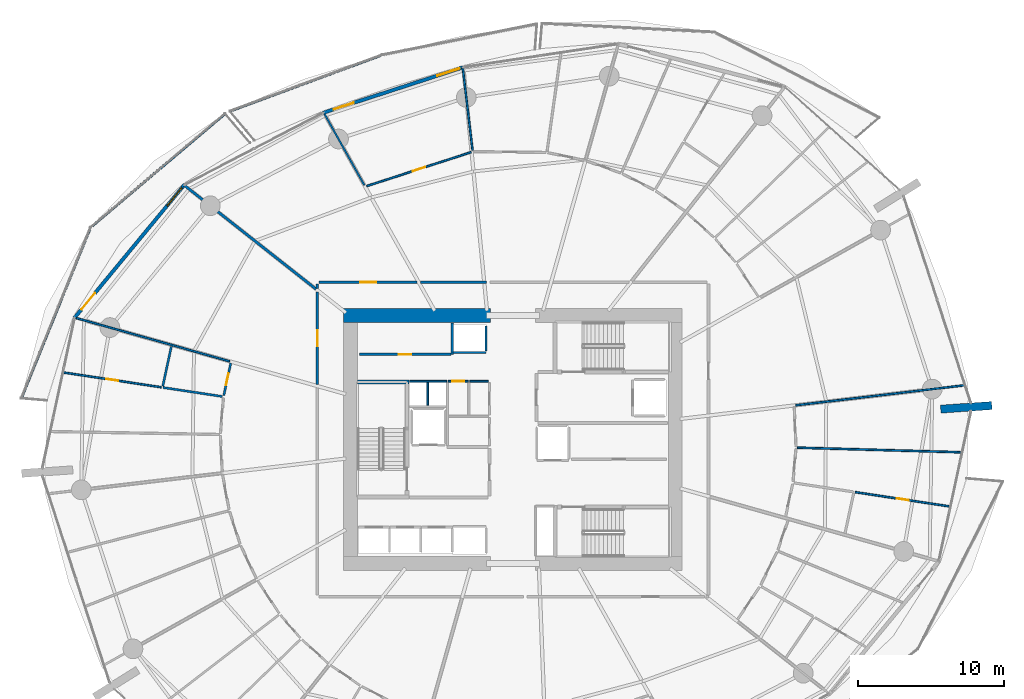
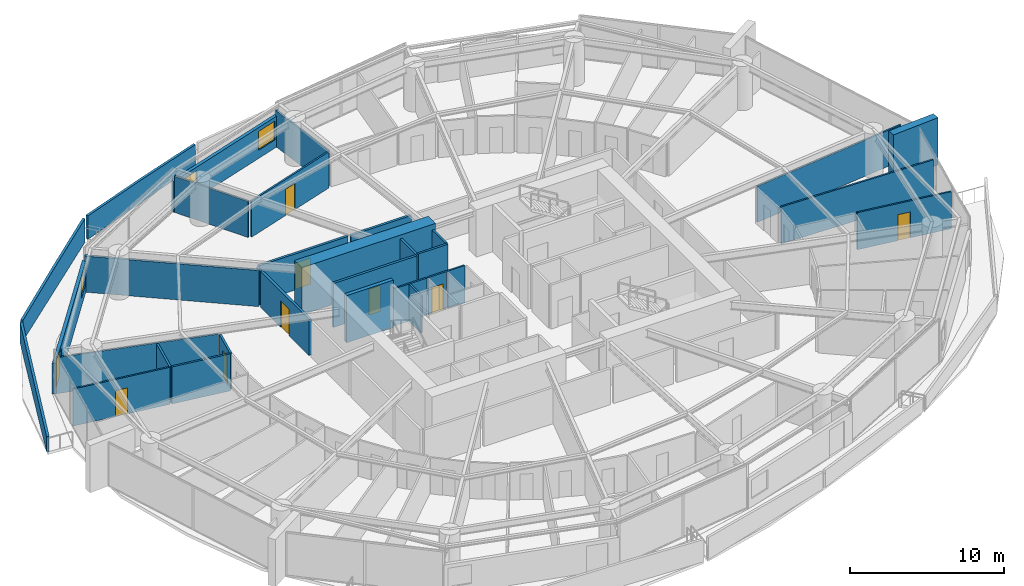
# One storey, part 22 of 31: 32 walls, 10 doors, 2 windows, 12 openings.
"""IFC4 building model written with IfcOpenShell, lengths in metres."""

from ifc_helpers import new_model, si_unit, direction, frame, frame_2d, origin, place, context, subcontext, project, spatial, polyline, rectangle, outline, extrude, material, layer, layer_set, type_object, element, fill, save


model = new_model("IFC4")

# Units and contexts
model_context = context("Model", 3, precision=1e-05, world=origin(), true_north=direction((0.0, 1.0)))
body_context = subcontext(model_context, "Body", "Model", "MODEL_VIEW")
ifc_project = project(units=[si_unit("LENGTHUNIT", "METRE"), si_unit("AREAUNIT", "SQUARE_METRE"), si_unit("VOLUMEUNIT", "CUBIC_METRE"), si_unit("PLANEANGLEUNIT", "RADIAN"), si_unit("MASSUNIT", "GRAM", prefix="KILO")], contexts=[model_context])

# Site, building, storey
site_placement = place(None, origin())
site = spatial("IfcSite", under=ifc_project, at=site_placement, CompositionType="ELEMENT")
building_placement = place(site_placement, origin())
building = spatial("IfcBuilding", under=site, at=building_placement, Name="Kazma Halo Residences", CompositionType="ELEMENT")
storey_placement = place(building_placement, frame((0.0, 0.0, 52.64990234375)))
storey = spatial("IfcBuildingStorey", under=building, at=storey_placement, Name="L12", CompositionType="ELEMENT", Elevation=52.64990234375)

# Walls
ifc_material_1 = material(Name="White Concrete C50/60 Balustrade", Category="concrete")
ifc_layer_1 = layer(ifc_material_1, 0.179931640625)
ifc_layer_set_1 = layer_set([ifc_layer_1], Name="White Concrete C50/60 Balustrade")
wall_type_1 = type_object("IfcWallType", Name="WL-BAL-WAVE-180", PredefinedType="PARAPET", material=ifc_layer_set_1)
wall_1_placement = place(storey_placement, frame((39.343505859375, 68.254150390625, 0.0), z_axis=(0.0, 0.0, 1.0), x_axis=(-0.938003942123, -0.346624587358, 0.0)))
element("IfcWall", 1, at=wall_1_placement, inside=storey, type_object=wall_type_1, Name="L12 white wave balustrade wall NNW.2", PredefinedType="PARAPET", context=body_context, shape_type="SweptSolid", body=[
    extrude(outline(polyline([(0.0, 0.0), (10.96435546875, 0.0), (10.96435546875, 1.860107421875), (5.482177734375, 1.798095703125), (0.0, 1.632080078125), (0.0, 0.0)])), frame((0.0, 0.08984375, 0.0), z_axis=(0.0, -1.0, 0.0), x_axis=(1.0, 0.0, 0.0)), (0.0, 0.0, 1.0), 0.179931640625),
])
wall_2_placement = place(storey_placement, frame((28.733154296875, 64.281494140625, 0.0), z_axis=(0.0, 0.0, 1.0), x_axis=(-0.763702211542, -0.645568688898, 0.0)))
element("IfcWall", 2, at=wall_2_placement, inside=storey, type_object=wall_type_1, Name="L12 white wave balustrade wall NW.1", PredefinedType="PARAPET", context=body_context, shape_type="SweptSolid", body=[
    extrude(outline(polyline([(0.0, 0.0), (11.9267578125, 0.0), (11.9267578125, 1.632080078125), (5.96337890625, 1.798095703125), (0.0, 1.860107421875), (0.0, 0.0)])), frame((0.0, 0.08984375, 0.0), z_axis=(0.0, -1.0, 0.0), x_axis=(1.0, 0.0, 0.0)), (0.0, 0.0, 1.0), 0.179931640625),
])
wall_3_placement = place(storey_placement, frame((19.488037109375, 56.393310546875, 0.0), z_axis=(0.0, 0.0, 1.0), x_axis=(-0.375733690411, -0.926727680546, 0.0)))
element("IfcWall", 3, at=wall_3_placement, inside=storey, type_object=wall_type_1, Name="L12 white wave balustrade wall NW.2", PredefinedType="PARAPET", context=body_context, shape_type="SweptSolid", body=[
    extrude(outline(polyline([(0.0, 0.0), (12.4912109375, 0.0), (12.4912109375, 1.233154296875), (6.24560546875, 1.418212890625), (0.0, 1.632080078125), (0.0, 0.0)])), frame((0.0, 0.08984375, 0.0), z_axis=(0.0, -1.0, 0.0), x_axis=(1.0, 0.0, 0.0)), (0.0, 0.0, 1.0), 0.179931640625),
])
ifc_material_2 = material(Name="Pale Concrete C60/75", Category="concrete")
ifc_layer_2 = layer(ifc_material_2, 0.550048828125)
ifc_layer_set_2 = layer_set([ifc_layer_2], Name="Pale Concrete C60/75")
wall_type_2 = type_object("IfcWallType", Name="WL-BLADE-550", PredefinedType="SOLIDWALL", material=ifc_layer_set_2)
wall_4_placement = place(storey_placement, frame((77.677978515625, 44.0751953125, 0.0), z_axis=(0.0, 0.0, 1.0), x_axis=(0.997564163539, 0.069754853754, 0.0)))
element("IfcWall", 4, at=wall_4_placement, inside=storey, type_object=wall_type_2, Name="L12 pale concrete structural blade fin wall BW-04", PredefinedType="SOLIDWALL", context=body_context, shape_type="SweptSolid", body=[
    extrude(rectangle(XDim=3.5, YDim=0.550048828125, at=frame_2d((1.75, 0.0))), origin(), (0.0, 0.0, 1.0), 3.75),
])
ifc_material_3 = material(Name="Concrete C80/95", Category="concrete")
ifc_layer_3 = layer(ifc_material_3, 0.949951171875)
ifc_layer_set_3 = layer_set([ifc_layer_3], Name="Concrete C80/95")
wall_type_3 = type_object("IfcWallType", Name="WL-CORE-950", PredefinedType="SHEAR", material=ifc_layer_set_3)
wall_5_placement = place(storey_placement, frame((36.85009765625, 50.47509765625, 0.0), z_axis=(0.0, 0.0, 1.0), x_axis=(1.0, 0.0, 0.0)))
element("IfcWall", 5, at=wall_5_placement, inside=storey, type_object=wall_type_3, Name="L12 central core shear wall NW", PredefinedType="SHEAR", context=body_context, shape_type="SweptSolid", body=[
    extrude(rectangle(XDim=10.0498046875, YDim=0.949951171875, at=frame_2d((5.02490234375, 0.0))), origin(), (0.0, 0.0, 1.0), 3.75),
])
ifc_material_4 = material(Name="Concrete C60/75", Category="concrete")
ifc_layer_4 = layer(ifc_material_4, 0.280029296875)
ifc_layer_set_4 = layer_set([ifc_layer_4], Name="Concrete C60/75")
wall_type_4 = type_object("IfcWallType", Name="WL-CORE-ST-280", PredefinedType="SHEAR", material=ifc_layer_set_4)
wall_6_placement = place(storey_placement, frame((37.800048828125, 45.93994140625, 0.0), z_axis=(0.0, 0.0, 1.0), x_axis=(1.0, 0.0, 0.0)))
element("IfcWall", 6, at=wall_6_placement, inside=storey, type_object=wall_type_4, Name="L12 stairwell bearing wall ST01-N", PredefinedType="SHEAR", context=body_context, shape_type="SweptSolid", body=[
    extrude(rectangle(XDim=3.5, YDim=0.280029296875, at=frame_2d((1.75, 0.0))), origin(), (0.0, 0.0, 1.0), 3.75),
])
ifc_material_5 = material(Name="Acoustic Twin-Stud Gypsum")
ifc_layer_5 = layer(ifc_material_5, 0.179931640625)
ifc_layer_set_5 = layer_set([ifc_layer_5], Name="Acoustic Twin-Stud Gypsum")
wall_type_5 = type_object("IfcWallType", Name="WL-DEM-180", PredefinedType="PARTITIONING", material=ifc_layer_set_5)
wall_7_placement = place(storey_placement, frame((34.963623046875, 52.277099609375, 0.0), z_axis=(0.0, 0.0, 1.0), x_axis=(-0.785321098315, 0.619088662908, 0.0)))
element("IfcWall", 7, at=wall_7_placement, inside=storey, type_object=wall_type_5, Name="L12 apartment demising radial wall 05", PredefinedType="PARTITIONING", context=body_context, shape_type="SweptSolid", body=[
    extrude(rectangle(XDim=11.4716796875, YDim=0.179931640625, at=frame_2d((5.73583984375, 0.0))), origin(), (0.0, 0.0, 1.0), 2.8671875),
])

# Wall, opening, door
wall_8_placement = place(storey_placement, frame((41.859619140625, 52.75, 0.0), z_axis=(0.0, 0.0, 1.0), x_axis=(-1.0, 0.0, 0.0)))
wall_8 = element("IfcWall", 8, at=wall_8_placement, inside=storey, type_object=wall_type_5, Name="L12 Apartment 1 entrance corridor wall", PredefinedType="PARTITIONING", context=body_context, shape_type="SweptSolid", body=[
    extrude(rectangle(XDim=6.689697265625, YDim=0.179931640625, at=frame_2d((3.3447265625, 0.0))), origin(), (0.0, 0.0, 1.0), 2.8671875),
])
opening_1_placement = place(wall_8_placement, frame((2.794921875, 0.0, 0.0)))
opening_1 = element("IfcOpeningElement", 9, at=opening_1_placement, cuts=wall_8, Name="Opening DA-1100", PredefinedType="OPENING", context=body_context, shape_type="SweptSolid", body=[
    extrude(rectangle(XDim=1.10009765625, YDim=2.10009765625, at=frame_2d((0.550048828125, 1.050048828125))), frame((0.0, 0.099853515625, 0.0), z_axis=(0.0, -1.0, 0.0), x_axis=(1.0, 0.0, 0.0)), (0.0, 0.0, 1.0), 0.199951171875),
])
ifc_material_6 = material(Name="Acoustic Walnut Fire Leaf")
door_type_1 = type_object("IfcDoorType", Name="DR-FD60-1100", OperationType="NOTDEFINED", PredefinedType="DOOR", material=ifc_material_6)
door_1_placement = place(opening_1_placement, origin())
door_1 = element("IfcDoor", 10, at=door_1_placement, inside=storey, type_object=door_type_1, Name="L12 Apartment 1 entrance fire door", OperationType="SINGLE_SWING_RIGHT", OverallHeight=2.10009765625, OverallWidth=1.10009765625, PredefinedType="DOOR", context=body_context, shape_type="SweptSolid", body=[
    extrude(rectangle(XDim=1.10009765625, YDim=2.10009765625, at=frame_2d((0.550048828125, 1.050048828125))), frame((0.0, 0.02490234375, 0.0), z_axis=(0.0, -1.0, 0.0), x_axis=(1.0, 0.0, 0.0)), (0.0, 0.0, 1.0), 0.050048828125),
])
fill(opening_1, door_1)

# Walls
wall_9_placement = place(storey_placement, frame((35.050048828125, 52.6298828125, 0.0), z_axis=(0.0, 0.0, 1.0), x_axis=(0.0, -1.0, 0.0)))
element("IfcWall", 11, at=wall_9_placement, inside=storey, type_object=wall_type_5, Name="L12 Apartment 1 entrance corridor wall", PredefinedType="PARTITIONING", context=body_context, shape_type="SweptSolid", body=[
    extrude(rectangle(XDim=0.30078125, YDim=0.179931640625, at=frame_2d((0.150390625, 0.0))), origin(), (0.0, 0.0, 1.0), 2.8671875),
])
wall_10_placement = place(storey_placement, frame((46.607666015625, 52.75, 0.0), z_axis=(0.0, 0.0, 1.0), x_axis=(-1.0, 0.0, 0.0)))
element("IfcWall", 12, at=wall_10_placement, inside=storey, type_object=wall_type_5, Name="L12 Apartment 1 inner wall 3", PredefinedType="PARTITIONING", context=body_context, shape_type="SweptSolid", body=[
    extrude(rectangle(XDim=4.508056640625, YDim=0.179931640625, at=frame_2d((2.25390625, 0.0))), origin(), (0.0, 0.0, 1.0), 2.8671875),
])

# Wall, opening, door
wall_11_placement = place(storey_placement, frame((35.050048828125, 52.089111328125, 0.0), z_axis=(0.0, 0.0, 1.0), x_axis=(0.0, -1.0, 0.0)))
wall_11 = element("IfcWall", 13, at=wall_11_placement, inside=storey, type_object=wall_type_5, Name="L12 Apartment 2 entrance corridor wall", PredefinedType="PARTITIONING", context=body_context, shape_type="SweptSolid", body=[
    extrude(rectangle(XDim=6.31689453125, YDim=0.179931640625, at=frame_2d((3.158447265625, 0.0))), origin(), (0.0, 0.0, 1.0), 2.8671875),
])
opening_2_placement = place(wall_11_placement, frame((2.6083984375, 0.0, 0.0)))
opening_2 = element("IfcOpeningElement", 14, at=opening_2_placement, cuts=wall_11, Name="Opening DA-1100", PredefinedType="OPENING", context=body_context, shape_type="SweptSolid", body=[
    extrude(rectangle(XDim=1.10009765625, YDim=2.10009765625, at=frame_2d((0.550048828125, 1.050048828125))), frame((0.0, 0.099853515625, 0.0), z_axis=(0.0, -1.0, 0.0), x_axis=(1.0, 0.0, 0.0)), (0.0, 0.0, 1.0), 0.199951171875),
])
door_2_placement = place(opening_2_placement, origin())
door_2 = element("IfcDoor", 15, at=door_2_placement, inside=storey, type_object=door_type_1, Name="L12 Apartment 2 entrance fire door", OperationType="SINGLE_SWING_LEFT", OverallHeight=2.10009765625, OverallWidth=1.10009765625, PredefinedType="DOOR", context=body_context, shape_type="SweptSolid", body=[
    extrude(rectangle(XDim=1.10009765625, YDim=2.10009765625, at=frame_2d((0.550048828125, 1.050048828125))), frame((0.0, 0.02490234375, 0.0), z_axis=(0.0, -1.0, 0.0), x_axis=(1.0, 0.0, 0.0)), (0.0, 0.0, 1.0), 0.050048828125),
])
fill(opening_2, door_2)

# Wall, openings, door, window
ifc_material_7 = material(Name="Insulated Pale-Metal Composite Wall")
ifc_layer_6 = layer(ifc_material_7, 0.239990234375)
ifc_layer_set_6 = layer_set([ifc_layer_6], Name="Insulated Pale-Metal Composite Wall")
wall_type_6 = type_object("IfcWallType", Name="WL-EXT-HOST-240", PredefinedType="SOLIDWALL", material=ifc_layer_set_6)
wall_12_placement = place(storey_placement, frame((45.0361328125, 67.45849609375, 0.0), z_axis=(0.0, 0.0, 1.0), x_axis=(-0.951054679225, -0.309022648238, 0.0)))
wall_12 = element("IfcWall", 16, at=wall_12_placement, inside=storey, type_object=wall_type_6, Name="L12 exterior terrace-access wall B04", PredefinedType="SOLIDWALL", context=body_context, shape_type="SweptSolid", body=[
    extrude(rectangle(XDim=10.0966796875, YDim=0.239990234375, at=frame_2d((5.04833984375, 0.0))), origin(), (0.0, 0.0, 1.0), 2.4501953125),
])
opening_3_placement = place(wall_12_placement, frame((7.876708984375, 0.0, 0.0)))
opening_3 = element("IfcOpeningElement", 17, at=opening_3_placement, cuts=wall_12, Name="Opening DTR-1600", PredefinedType="OPENING", context=body_context, shape_type="SweptSolid", body=[
    extrude(rectangle(XDim=1.449951171875, YDim=2.14990234375, at=frame_2d((0.72509765625, 1.074951171875))), frame((0.0, 0.1298828125, 0.0), z_axis=(0.0, -1.0, 0.0), x_axis=(1.0, 0.0, 0.0)), (0.0, 0.0, 1.0), 0.260009765625),
])
opening_4_placement = place(wall_12_placement, frame((0.280029296875, 0.0, 0.64990234375)))
opening_4 = element("IfcOpeningElement", 18, at=opening_4_placement, cuts=wall_12, Name="Opening W-1800", PredefinedType="OPENING", context=body_context, shape_type="SweptSolid", body=[
    extrude(rectangle(XDim=1.60009765625, YDim=1.5, at=frame_2d((0.800048828125, 0.75))), frame((0.0, 0.1298828125, 0.0), z_axis=(0.0, -1.0, 0.0), x_axis=(1.0, 0.0, 0.0)), (0.0, 0.0, 1.0), 0.260009765625),
])
ifc_material_8 = material(Name="Aluminium AW-6063 T6 Double-Glazed Terrace Door", Category="aluminium")
door_type_2 = type_object("IfcDoorType", Name="DR-EXT-TERR-1600", OperationType="NOTDEFINED", PredefinedType="DOOR", material=ifc_material_8)
door_3_placement = place(opening_3_placement, origin())
door_3 = element("IfcDoor", 19, at=door_3_placement, inside=storey, type_object=door_type_2, Name="L12 B04 balcony terrace door", OperationType="DOUBLE_DOOR_SLIDING", OverallHeight=2.14990234375, OverallWidth=1.449951171875, PredefinedType="DOOR", context=body_context, shape_type="SweptSolid", body=[
    extrude(rectangle(XDim=1.449951171875, YDim=2.14990234375, at=frame_2d((0.72509765625, 1.074951171875))), frame((0.0, 0.02490234375, 0.0), z_axis=(0.0, -1.0, 0.0), x_axis=(1.0, 0.0, 0.0)), (0.0, 0.0, 1.0), 0.050048828125),
])
fill(opening_3, door_3)
ifc_material_9 = material(Name="Clear Triple-Silver Low-E Glass in Aluminium AW-6063 T6 Frame", Category="aluminium")
window_type = type_object("IfcWindowType", Name="WIN-RES-1800", PartitioningType="DOUBLE_PANEL_VERTICAL", PredefinedType="WINDOW", material=ifc_material_9)
window_1_placement = place(opening_4_placement, origin())
window_1 = element("IfcWindow", 20, at=window_1_placement, inside=storey, type_object=window_type, Name="L12 B04 apartment window", OverallHeight=1.5, OverallWidth=1.60009765625, PartitioningType="SINGLE_PANEL", PredefinedType="WINDOW", context=body_context, shape_type="SweptSolid", body=[
    extrude(rectangle(XDim=1.60009765625, YDim=1.5, at=frame_2d((0.800048828125, 0.75))), frame((0.0, 0.030029296875, 0.0), z_axis=(0.0, -1.0, 0.0), x_axis=(1.0, 0.0, 0.0)), (0.0, 0.0, 1.0), 0.06005859375),
])
fill(opening_4, window_1)

wall_13_placement = place(storey_placement, frame((25.966796875, 59.433349609375, 0.0), z_axis=(0.0, 0.0, 1.0), x_axis=(-0.636674332663, -0.771132799281, 0.0)))
wall_13 = element("IfcWall", 21, at=wall_13_placement, inside=storey, type_object=wall_type_6, Name="L12 exterior terrace-access wall B06", PredefinedType="SOLIDWALL", context=body_context, shape_type="SweptSolid", body=[
    extrude(rectangle(XDim=11.851318359375, YDim=0.239990234375, at=frame_2d((5.92578125, 0.0))), origin(), (0.0, 0.0, 1.0), 2.4501953125),
])
opening_5_placement = place(wall_13_placement, frame((9.631103515625, 0.0, 0.0)))
opening_5 = element("IfcOpeningElement", 22, at=opening_5_placement, cuts=wall_13, Name="Opening DTR-1600", PredefinedType="OPENING", context=body_context, shape_type="SweptSolid", body=[
    extrude(rectangle(XDim=1.449951171875, YDim=2.14990234375, at=frame_2d((0.72509765625, 1.074951171875))), frame((0.0, 0.1298828125, 0.0), z_axis=(0.0, -1.0, 0.0), x_axis=(1.0, 0.0, 0.0)), (0.0, 0.0, 1.0), 0.260009765625),
])
opening_6_placement = place(wall_13_placement, frame((0.280029296875, 0.0, 0.64990234375)))
opening_6 = element("IfcOpeningElement", 23, at=opening_6_placement, cuts=wall_13, Name="Opening W-1800", PredefinedType="OPENING", context=body_context, shape_type="SweptSolid", body=[
    extrude(rectangle(XDim=1.60009765625, YDim=1.5, at=frame_2d((0.800048828125, 0.75))), frame((0.0, 0.1298828125, 0.0), z_axis=(0.0, -1.0, 0.0), x_axis=(1.0, 0.0, 0.0)), (0.0, 0.0, 1.0), 0.260009765625),
])
door_4_placement = place(opening_5_placement, origin())
door_4 = element("IfcDoor", 24, at=door_4_placement, inside=storey, type_object=door_type_2, Name="L12 B06 balcony terrace door", OperationType="DOUBLE_DOOR_SLIDING", OverallHeight=2.14990234375, OverallWidth=1.449951171875, PredefinedType="DOOR", context=body_context, shape_type="SweptSolid", body=[
    extrude(rectangle(XDim=1.449951171875, YDim=2.14990234375, at=frame_2d((0.72509765625, 1.074951171875))), frame((0.0, 0.02490234375, 0.0), z_axis=(0.0, -1.0, 0.0), x_axis=(1.0, 0.0, 0.0)), (0.0, 0.0, 1.0), 0.050048828125),
])
fill(opening_5, door_4)
window_2_placement = place(opening_6_placement, origin())
window_2 = element("IfcWindow", 25, at=window_2_placement, inside=storey, type_object=window_type, Name="L12 B06 apartment window", OverallHeight=1.5, OverallWidth=1.60009765625, PartitioningType="SINGLE_PANEL", PredefinedType="WINDOW", context=body_context, shape_type="SweptSolid", body=[
    extrude(rectangle(XDim=1.60009765625, YDim=1.5, at=frame_2d((0.800048828125, 0.75))), frame((0.0, 0.030029296875, 0.0), z_axis=(0.0, -1.0, 0.0), x_axis=(1.0, 0.0, 0.0)), (0.0, 0.0, 1.0), 0.06005859375),
])
fill(opening_6, window_2)

# Walls
ifc_material_10 = material(Name="Fire-Rated Blockwork Masonry", Category="masonry")
ifc_layer_7 = layer(ifc_material_10, 0.199951171875)
ifc_layer_set_7 = layer_set([ifc_layer_7], Name="Fire-Rated Blockwork Masonry")
wall_type_7 = type_object("IfcWallType", Name="WL-FLB-200", PredefinedType="PARTITIONING", material=ifc_layer_set_7)
wall_14_placement = place(storey_placement, frame((46.580078125, 47.945068359375, 0.0), z_axis=(0.0, 0.0, 1.0), x_axis=(-1.0, 0.0, 0.0)))
element("IfcWall", 26, at=wall_14_placement, inside=storey, type_object=wall_type_7, Name="L12 lift shaft PX-01 front wall", PredefinedType="PARTITIONING", context=body_context, shape_type="SweptSolid", body=[
    extrude(rectangle(XDim=2.260009765625, YDim=0.159912109375, at=frame_2d((1.1298828125, 0.0))), origin(), (0.0, 0.0, 1.0), 3.5),
])
wall_15_placement = place(storey_placement, frame((46.580078125, 48.044921875, 0.0), z_axis=(0.0, 0.0, 1.0), x_axis=(0.0, 1.0, 0.0)))
element("IfcWall", 27, at=wall_15_placement, inside=storey, type_object=wall_type_7, Name="L12 lift shaft PX-01 side wall E", PredefinedType="PARTITIONING", context=body_context, shape_type="SweptSolid", body=[
    extrude(rectangle(XDim=1.7099609375, YDim=0.159912109375, at=frame_2d((0.85498046875, 0.0))), origin(), (0.0, 0.0, 1.0), 3.5),
])

# Wall, opening, door
wall_16_placement = place(storey_placement, frame((37.919921875, 47.820068359375, 0.0), z_axis=(0.0, 0.0, 1.0), x_axis=(1.0, 0.0, 0.0)))
wall_16 = element("IfcWall", 28, at=wall_16_placement, inside=storey, type_object=wall_type_7, Name="L12 core north reserve wall", PredefinedType="PARTITIONING", context=body_context, shape_type="SweptSolid", body=[
    extrude(rectangle(XDim=6.260009765625, YDim=0.179931640625, at=frame_2d((3.1298828125, 0.0))), origin(), (0.0, 0.0, 1.0), 3.5),
])
opening_7_placement = place(wall_16_placement, frame((2.705078125, 0.0, 0.0)))
opening_7 = element("IfcOpeningElement", 29, at=opening_7_placement, cuts=wall_16, Name="Opening DS-850", PredefinedType="OPENING", context=body_context, shape_type="SweptSolid", body=[
    extrude(rectangle(XDim=0.85009765625, YDim=2.06005859375, at=frame_2d((0.425048828125, 1.030029296875))), frame((0.0, 0.099853515625, 0.0), z_axis=(0.0, -1.0, 0.0), x_axis=(1.0, 0.0, 0.0)), (0.0, 0.0, 1.0), 0.199951171875),
])
ifc_material_11 = material(Name="Painted Steel Access Leaf", Category="steel")
door_type_3 = type_object("IfcDoorType", Name="DR-SVC-850", OperationType="NOTDEFINED", PredefinedType="DOOR", material=ifc_material_11)
door_5_placement = place(opening_7_placement, origin())
door_5 = element("IfcDoor", 30, at=door_5_placement, inside=storey, type_object=door_type_3, Name="L12 core north reserve door", OperationType="SINGLE_SWING_RIGHT", OverallHeight=2.06005859375, OverallWidth=0.85009765625, PredefinedType="DOOR", context=body_context, shape_type="SweptSolid", body=[
    extrude(rectangle(XDim=0.85009765625, YDim=2.06005859375, at=frame_2d((0.425048828125, 1.030029296875))), frame((0.0, 0.02490234375, 0.0), z_axis=(0.0, -1.0, 0.0), x_axis=(1.0, 0.0, 0.0)), (0.0, 0.0, 1.0), 0.050048828125),
])
fill(opening_7, door_5)

# Walls
wall_17_placement = place(storey_placement, frame((44.280029296875, 47.820068359375, 0.0), z_axis=(0.0, 0.0, 1.0), x_axis=(0.0, 1.0, 0.0)))
element("IfcWall", 31, at=wall_17_placement, inside=storey, type_object=wall_type_7, Name="L12 PX-01 hoistway west wall", PredefinedType="PARTITIONING", context=body_context, shape_type="SweptSolid", body=[
    extrude(rectangle(XDim=2.1298828125, YDim=0.179931640625, at=frame_2d((1.06494140625, 0.0))), origin(), (0.0, 0.0, 1.0), 3.5),
])
ifc_material_12 = material(Name="Gypsum Plasterboard Partition")
ifc_layer_8 = layer(ifc_material_12, 0.125)
ifc_layer_set_8 = layer_set([ifc_layer_8], Name="Gypsum Plasterboard Partition")
wall_type_8 = type_object("IfcWallType", Name="WL-PART-125", PredefinedType="PARTITIONING", material=ifc_layer_set_8)
wall_18_placement = place(storey_placement, frame((42.60009765625, 44.35009765625, 0.0), z_axis=(0.0, 0.0, 1.0), x_axis=(0.0, 1.0, 0.0)))
element("IfcWall", 32, at=wall_18_placement, inside=storey, type_object=wall_type_8, Name="L12 core riser divider wall", PredefinedType="PARTITIONING", context=body_context, shape_type="SweptSolid", body=[
    extrude(rectangle(XDim=1.5498046875, YDim=0.125, at=frame_2d((0.77490234375, 0.0))), origin(), (0.0, 0.0, 1.0), 2.940185546875),
])
wall_19_placement = place(storey_placement, frame((41.35009765625, 45.97998046875, 0.0), z_axis=(0.0, 0.0, 1.0), x_axis=(1.0, 0.0, 0.0)))
element("IfcWall", 33, at=wall_19_placement, inside=storey, type_object=wall_type_8, Name="L12 core riser NW wall", PredefinedType="PARTITIONING", context=body_context, shape_type="SweptSolid", body=[
    extrude(rectangle(XDim=2.52978515625, YDim=0.125, at=frame_2d((1.264892578125, 0.0))), origin(), (0.0, 0.0, 1.0), 2.940185546875),
])

# Wall, opening, door
wall_20_placement = place(storey_placement, frame((43.989990234375, 45.97998046875, 0.0), z_axis=(0.0, 0.0, 1.0), x_axis=(1.0, 0.0, 0.0)))
wall_20 = element("IfcWall", 34, at=wall_20_placement, inside=storey, type_object=wall_type_8, Name="L12 cleaners cupboard north wall", PredefinedType="PARTITIONING", context=body_context, shape_type="SweptSolid", body=[
    extrude(rectangle(XDim=1.380126953125, YDim=0.125, at=frame_2d((0.68994140625, 0.0))), origin(), (0.0, 0.0, 1.0), 2.940185546875),
])
opening_8_placement = place(wall_20_placement, frame((0.264892578125, 0.0, 0.0)))
opening_8 = element("IfcOpeningElement", 35, at=opening_8_placement, cuts=wall_20, Name="Opening DS-850", PredefinedType="OPENING", context=body_context, shape_type="SweptSolid", body=[
    extrude(rectangle(XDim=0.85009765625, YDim=2.06005859375, at=frame_2d((0.425048828125, 1.030029296875))), frame((0.0, 0.072509765625, 0.0), z_axis=(0.0, -1.0, 0.0), x_axis=(1.0, 0.0, 0.0)), (0.0, 0.0, 1.0), 0.14501953125),
])
door_6_placement = place(opening_8_placement, origin())
door_6 = element("IfcDoor", 36, at=door_6_placement, inside=storey, type_object=door_type_3, Name="L12 cleaners cupboard door", OperationType="SINGLE_SWING_LEFT", OverallHeight=2.06005859375, OverallWidth=0.85009765625, PredefinedType="DOOR", context=body_context, shape_type="SweptSolid", body=[
    extrude(rectangle(XDim=0.85009765625, YDim=2.06005859375, at=frame_2d((0.425048828125, 1.030029296875))), frame((0.0, 0.02490234375, 0.0), z_axis=(0.0, -1.0, 0.0), x_axis=(1.0, 0.0, 0.0)), (0.0, 0.0, 1.0), 0.050048828125),
])
fill(opening_8, door_6)

# Walls
wall_21_placement = place(storey_placement, frame((45.47998046875, 45.97998046875, 0.0), z_axis=(0.0, 0.0, 1.0), x_axis=(1.0, 0.0, 0.0)))
element("IfcWall", 37, at=wall_21_placement, inside=storey, type_object=wall_type_8, Name="L12 sub-metering north wall", PredefinedType="PARTITIONING", context=body_context, shape_type="SweptSolid", body=[
    extrude(rectangle(XDim=1.260009765625, YDim=0.125, at=frame_2d((0.6298828125, 0.0))), origin(), (0.0, 0.0, 1.0), 2.940185546875),
])
wall_22_placement = place(storey_placement, frame((45.65869140625, 61.781982421875, 0.0), z_axis=(0.0, 0.0, 1.0), x_axis=(-0.117520082425, 0.993070506171, 0.0)))
element("IfcWall", 38, at=wall_22_placement, inside=storey, type_object=wall_type_8, Name="L12 Apartment 1 radial partition 3", PredefinedType="PARTITIONING", context=body_context, shape_type="SweptSolid", body=[
    extrude(rectangle(XDim=5.675537109375, YDim=0.125, at=frame_2d((2.837890625, 0.0))), origin(), (0.0, 0.0, 1.0), 2.8671875),
])
wall_23_placement = place(storey_placement, frame((38.2666015625, 59.380126953125, 0.0), z_axis=(0.0, 0.0, 1.0), x_axis=(-0.488618035608, 0.872497802449, 0.0)))
element("IfcWall", 39, at=wall_23_placement, inside=storey, type_object=wall_type_8, Name="L12 Apartment 1 living radial partition 3", PredefinedType="PARTITIONING", context=body_context, shape_type="SweptSolid", body=[
    extrude(rectangle(XDim=5.57568359375, YDim=0.125, at=frame_2d((2.787841796875, 0.0))), origin(), (0.0, 0.0, 1.0), 2.8671875),
])

# Wall, opening, door
wall_24_placement = place(storey_placement, frame((45.56591796875, 61.648681640625, 0.0), z_axis=(0.0, 0.0, 1.0), x_axis=(-0.951057228592, -0.309014802142, 0.0)))
wall_24 = element("IfcWall", 40, at=wall_24_placement, inside=storey, type_object=wall_type_8, Name="L12 Apartment 1 East Formal Dining Room gallery wall", PredefinedType="PARTITIONING", context=body_context, shape_type="SweptSolid", body=[
    extrude(rectangle(XDim=7.513427734375, YDim=0.125, at=frame_2d((3.7568359375, 0.0))), origin(), (0.0, 0.0, 1.0), 2.8671875),
])
opening_9_placement = place(wall_24_placement, frame((3.306640625, 0.0, 0.0)))
opening_9 = element("IfcOpeningElement", 41, at=opening_9_placement, cuts=wall_24, Name="Opening DI-950", PredefinedType="OPENING", context=body_context, shape_type="SweptSolid", body=[
    extrude(rectangle(XDim=0.89990234375, YDim=2.080078125, at=frame_2d((0.449951171875, 1.0400390625))), frame((0.0, 0.072509765625, 0.0), z_axis=(0.0, -1.0, 0.0), x_axis=(1.0, 0.0, 0.0)), (0.0, 0.0, 1.0), 0.14501953125),
])
ifc_material_13 = material(Name="Timber Veneer Flush Leaf", Category="wood")
door_type_4 = type_object("IfcDoorType", Name="DR-INT-950", OperationType="NOTDEFINED", PredefinedType="DOOR", material=ifc_material_13)
door_7_placement = place(opening_9_placement, origin())
door_7 = element("IfcDoor", 42, at=door_7_placement, inside=storey, type_object=door_type_4, Name="L12 Apartment 1 East Formal Dining Room door", OperationType="SINGLE_SWING_RIGHT", OverallHeight=2.080078125, OverallWidth=0.89990234375, PredefinedType="DOOR", context=body_context, shape_type="SweptSolid", body=[
    extrude(rectangle(XDim=0.89990234375, YDim=2.080078125, at=frame_2d((0.449951171875, 1.0400390625))), frame((0.0, 0.02490234375, 0.0), z_axis=(0.0, -1.0, 0.0), x_axis=(1.0, 0.0, 0.0)), (0.0, 0.0, 1.0), 0.050048828125),
])
fill(opening_9, door_7)

# Wall
wall_25_placement = place(storey_placement, frame((29.04931640625, 47.344482421875, 0.0), z_axis=(0.0, 0.0, 1.0), x_axis=(-0.962452831434, 0.271448977278, 0.0)))
element("IfcWall", 43, at=wall_25_placement, inside=storey, type_object=wall_type_8, Name="L12 Apartment 2 radial partition 6", PredefinedType="PARTITIONING", context=body_context, shape_type="SweptSolid", body=[
    extrude(rectangle(XDim=10.884521484375, YDim=0.125, at=frame_2d((5.4423828125, 0.0))), origin(), (0.0, 0.0, 1.0), 2.8671875),
])

# Wall, opening, door
wall_26_placement = place(storey_placement, frame((24.368408203125, 45.57177734375, 0.0), z_axis=(0.0, 0.0, 1.0), x_axis=(-0.988769342127, 0.149449617164, 0.0)))
wall_26 = element("IfcWall", 44, at=wall_26_placement, inside=storey, type_object=wall_type_8, Name="L12 Apartment 2 Utility Laundry Room partition wall", PredefinedType="PARTITIONING", context=body_context, shape_type="SweptSolid", body=[
    extrude(rectangle(XDim=6.76953125, YDim=0.125, at=frame_2d((3.384765625, 0.0))), origin(), (0.0, 0.0, 1.0), 2.940185546875),
])
opening_10_placement = place(wall_26_placement, frame((2.959716796875, 0.0, 0.0)))
opening_10 = element("IfcOpeningElement", 45, at=opening_10_placement, cuts=wall_26, Name="Opening DB-900", PredefinedType="OPENING", context=body_context, shape_type="SweptSolid", body=[
    extrude(rectangle(XDim=0.85009765625, YDim=2.06005859375, at=frame_2d((0.425048828125, 1.030029296875))), frame((0.0, 0.072509765625, 0.0), z_axis=(0.0, -1.0, 0.0), x_axis=(1.0, 0.0, 0.0)), (0.0, 0.0, 1.0), 0.14501953125),
])
ifc_material_14 = material(Name="Moisture-Sealed Timber Leaf", Category="wood")
door_type_5 = type_object("IfcDoorType", Name="DR-BTH-900", OperationType="NOTDEFINED", PredefinedType="DOOR", material=ifc_material_14)
door_8_placement = place(opening_10_placement, origin())
door_8 = element("IfcDoor", 46, at=door_8_placement, inside=storey, type_object=door_type_5, Name="L12 Apartment 2 Utility Laundry Room door", OperationType="SINGLE_SWING_RIGHT", OverallHeight=2.06005859375, OverallWidth=0.85009765625, PredefinedType="DOOR", context=body_context, shape_type="SweptSolid", body=[
    extrude(rectangle(XDim=0.85009765625, YDim=2.06005859375, at=frame_2d((0.425048828125, 1.030029296875))), frame((0.0, 0.02490234375, 0.0), z_axis=(0.0, -1.0, 0.0), x_axis=(1.0, 0.0, 0.0)), (0.0, 0.0, 1.0), 0.050048828125),
])
fill(opening_10, door_8)

# Wall
wall_27_placement = place(storey_placement, frame((67.755126953125, 44.338134765625, 0.0), z_axis=(0.0, 0.0, 1.0), x_axis=(0.993067500076, 0.117545481801, 0.0)))
element("IfcWall", 47, at=wall_27_placement, inside=storey, type_object=wall_type_8, Name="L12 Apartment 4 living radial partition 14", PredefinedType="PARTITIONING", context=body_context, shape_type="SweptSolid", body=[
    extrude(rectangle(XDim=11.645751953125, YDim=0.125, at=frame_2d((5.82275390625, 0.0))), origin(), (0.0, 0.0, 1.0), 2.8671875),
])

# Wall, opening, door
wall_28_placement = place(storey_placement, frame((71.832275390625, 38.397705078125, 0.0), z_axis=(0.0, 0.0, 1.0), x_axis=(0.988773501149, -0.149422098181, 0.0)))
wall_28 = element("IfcWall", 48, at=wall_28_placement, inside=storey, type_object=wall_type_8, Name="L12 Apartment 4 Utility Laundry Room partition wall", PredefinedType="PARTITIONING", context=body_context, shape_type="SweptSolid", body=[
    extrude(rectangle(XDim=6.566650390625, YDim=0.125, at=frame_2d((3.283203125, 0.0))), origin(), (0.0, 0.0, 1.0), 2.940185546875),
])
opening_11_placement = place(wall_28_placement, frame((2.8583984375, 0.0, 0.0)))
opening_11 = element("IfcOpeningElement", 49, at=opening_11_placement, cuts=wall_28, Name="Opening DB-900", PredefinedType="OPENING", context=body_context, shape_type="SweptSolid", body=[
    extrude(rectangle(XDim=0.85009765625, YDim=2.06005859375, at=frame_2d((0.425048828125, 1.030029296875))), frame((0.0, 0.072509765625, 0.0), z_axis=(0.0, -1.0, 0.0), x_axis=(1.0, 0.0, 0.0)), (0.0, 0.0, 1.0), 0.14501953125),
])
door_9_placement = place(opening_11_placement, origin())
door_9 = element("IfcDoor", 50, at=door_9_placement, inside=storey, type_object=door_type_5, Name="L12 Apartment 4 Utility Laundry Room door", OperationType="SINGLE_SWING_RIGHT", OverallHeight=2.06005859375, OverallWidth=0.85009765625, PredefinedType="DOOR", context=body_context, shape_type="SweptSolid", body=[
    extrude(rectangle(XDim=0.85009765625, YDim=2.06005859375, at=frame_2d((0.425048828125, 1.030029296875))), frame((0.0, 0.02490234375, 0.0), z_axis=(0.0, -1.0, 0.0), x_axis=(1.0, 0.0, 0.0)), (0.0, 0.0, 1.0), 0.050048828125),
])
fill(opening_11, door_9)

# Wall
wall_29_placement = place(storey_placement, frame((67.875244140625, 41.440185546875, 0.0), z_axis=(0.0, 0.0, 1.0), x_axis=(0.999604383534, -0.028126080787, 0.0)))
element("IfcWall", 51, at=wall_29_placement, inside=storey, type_object=wall_type_8, Name="L12 Apartment 4 suite divider 14", PredefinedType="PARTITIONING", context=body_context, shape_type="SweptSolid", body=[
    extrude(rectangle(XDim=11.24951171875, YDim=0.125, at=frame_2d((5.624755859375, 0.0))), origin(), (0.0, 0.0, 1.0), 2.940185546875),
])

# Wall, opening, door
ifc_material_15 = material(Name="Moisture-Resistant Gypsum")
ifc_layer_9 = layer(ifc_material_15, 0.14990234375)
ifc_layer_set_9 = layer_set([ifc_layer_9], Name="Moisture-Resistant Gypsum")
wall_type_9 = type_object("IfcWallType", Name="WL-WET-150", PredefinedType="PARTITIONING", material=ifc_layer_set_9)
wall_30_placement = place(storey_placement, frame((29.12451171875, 47.2197265625, 0.0), z_axis=(0.0, 0.0, 1.0), x_axis=(-0.210919017848, -0.977503538567, 0.0)))
wall_30 = element("IfcWall", 52, at=wall_30_placement, inside=storey, type_object=wall_type_9, Name="L12 Apartment 2 Guest Bathroom hall wall", PredefinedType="PARTITIONING", context=body_context, shape_type="SweptSolid", body=[
    extrude(rectangle(XDim=2.2548828125, YDim=0.14990234375, at=frame_2d((1.12744140625, 0.0))), origin(), (0.0, 0.0, 1.0), 2.8671875),
])
opening_12_placement = place(wall_30_placement, frame((0.702392578125, 0.0, 0.0)))
opening_12 = element("IfcOpeningElement", 53, at=opening_12_placement, cuts=wall_30, Name="Opening DB-900", PredefinedType="OPENING", context=body_context, shape_type="SweptSolid", body=[
    extrude(rectangle(XDim=0.85009765625, YDim=2.06005859375, at=frame_2d((0.425048828125, 1.030029296875))), frame((0.0, 0.0849609375, 0.0), z_axis=(0.0, -1.0, 0.0), x_axis=(1.0, 0.0, 0.0)), (0.0, 0.0, 1.0), 0.169921875),
])
door_10_placement = place(opening_12_placement, origin())
door_10 = element("IfcDoor", 54, at=door_10_placement, inside=storey, type_object=door_type_5, Name="L12 Apartment 2 Guest Bathroom door", OperationType="SINGLE_SWING_LEFT", OverallHeight=2.06005859375, OverallWidth=0.85009765625, PredefinedType="DOOR", context=body_context, shape_type="SweptSolid", body=[
    extrude(rectangle(XDim=0.85009765625, YDim=2.06005859375, at=frame_2d((0.425048828125, 1.030029296875))), frame((0.0, 0.02490234375, 0.0), z_axis=(0.0, -1.0, 0.0), x_axis=(1.0, 0.0, 0.0)), (0.0, 0.0, 1.0), 0.050048828125),
])
fill(opening_12, door_10)

# Walls
wall_31_placement = place(storey_placement, frame((25.062744140625, 48.365234375, 0.0), z_axis=(0.0, 0.0, 1.0), x_axis=(-0.210847740245, -0.97751891564, 0.0)))
element("IfcWall", 55, at=wall_31_placement, inside=storey, type_object=wall_type_9, Name="L12 Apartment 2 Guest Bathroom back wall", PredefinedType="PARTITIONING", context=body_context, shape_type="SweptSolid", body=[
    extrude(rectangle(XDim=2.78125, YDim=0.14990234375, at=frame_2d((1.390625, 0.0))), origin(), (0.0, 0.0, 1.0), 2.8671875),
])
wall_32_placement = place(storey_placement, frame((28.541015625, 44.941162109375, 0.0), z_axis=(0.0, 0.0, 1.0), x_axis=(-0.988765818212, 0.149472929776, 0.0)))
element("IfcWall", 56, at=wall_32_placement, inside=storey, type_object=wall_type_9, Name="L12 Apartment 2 Guest Bathroom side wall", PredefinedType="PARTITIONING", context=body_context, shape_type="SweptSolid", body=[
    extrude(rectangle(XDim=4.08984375, YDim=0.14990234375, at=frame_2d((2.044921875, 0.0))), origin(), (0.0, 0.0, 1.0), 2.940185546875),
])

save(model, "model.ifc")
